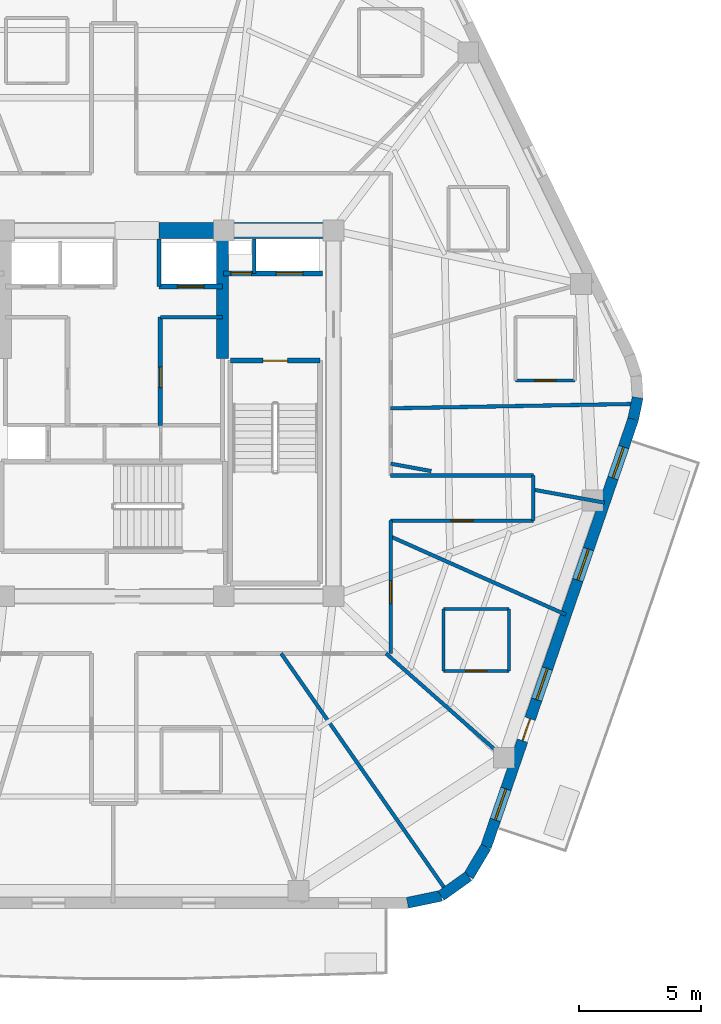
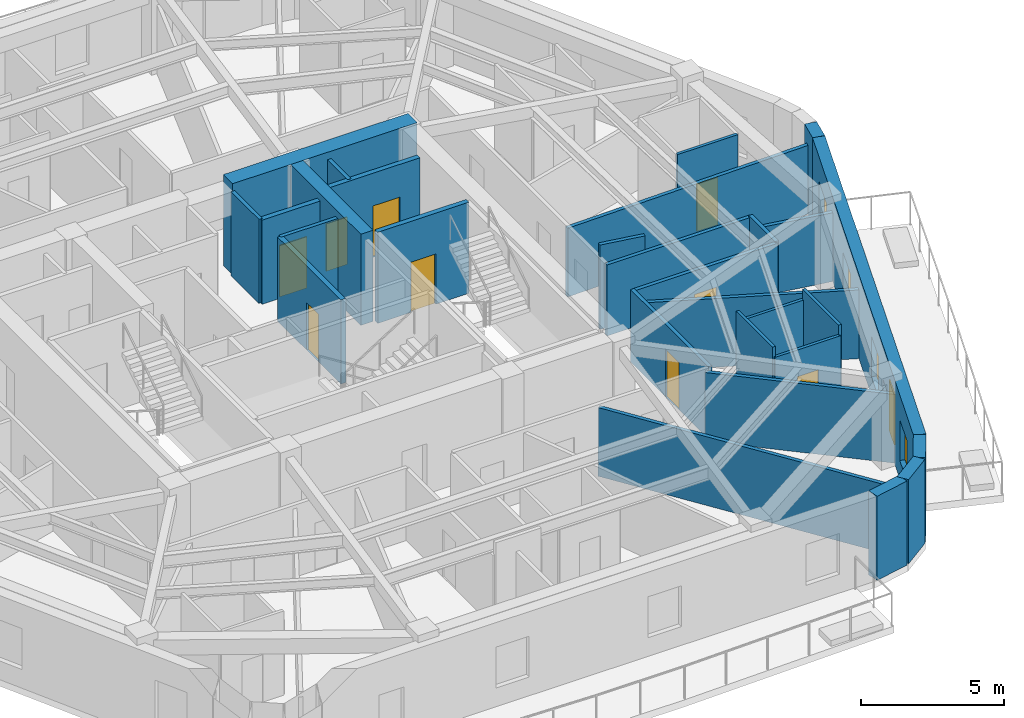
# One storey, part 5 of 9: 29 walls, 10 doors, 4 windows, 14 openings.
"""IFC4 building model written with IfcOpenShell, lengths in metres."""

import ifcopenshell
import ifcopenshell.guid

model = None  # the IFC model being written
_history = None  # IfcOwnerHistory: only IFC2X3 demands one
_inside = {}  # id of a spatial element -> (the spatial element, [elements in it])
_under = {}  # id of a project, library or spatial element -> (it, [spatial elements below it])
_declared = {}  # id of a project -> (the project, [libraries it declares])
_typed = {}  # id of a type object -> (the type object, [elements of that type])
_made_of = {}  # id of a material, layer set ... -> (it, [elements and type objects made of it])


def new_model(schema):
    """Start an empty IFC model of exactly this schema.

    Asked for "IFC4X3", IfcOpenShell would pick the latest addendum, in which some entities
    have other attributes; the version numbers below select the first issue.
    IFC2X3 requires an IfcOwnerHistory on every rooted entity: one is made here for all.
    """
    global model, _history
    if schema == "IFC4X3":
        model = ifcopenshell.file(schema_version=(4, 3, 0, 0))
    else:
        model = ifcopenshell.file(schema=schema)
    _inside.clear()
    _under.clear()
    _declared.clear()
    _typed.clear()
    _made_of.clear()
    _history = None
    if model.schema == "IFC2X3":
        org = make("IfcOrganization", Name="unknown")
        user = make(
            "IfcPersonAndOrganization",
            ThePerson=make("IfcPerson", FamilyName="unknown"),
            TheOrganization=org,
        )
        app = make(
            "IfcApplication",
            ApplicationDeveloper=org,
            Version="unknown",
            ApplicationFullName="unknown",
            ApplicationIdentifier="unknown",
        )
        _history = make(
            "IfcOwnerHistory",
            OwningUser=user,
            OwningApplication=app,
            ChangeAction="ADDED",
            CreationDate=0,
        )
    return model


def make(cls, **values):
    """One entity of the class cls with the attributes given. An attribute that is None is left unset."""
    return model.create_entity(
        cls, **{name: value for name, value in values.items() if value is not None}
    )


def rooted(cls, **values):
    """An entity with a GlobalId (a new one), such as an element, a storey or a relation."""
    return make(cls, GlobalId=ifcopenshell.guid.new(), OwnerHistory=_history, **values)


def si_unit(unit_type, name, prefix=None):
    """IfcSIUnit, for example si_unit("LENGTHUNIT", "METRE", prefix="MILLI")."""
    return make("IfcSIUnit", UnitType=unit_type, Prefix=prefix, Name=name)


def assignment(units):
    """IfcUnitAssignment: the units of a project."""
    return None if units is None else make("IfcUnitAssignment", Units=units)


def point(xyz):
    """IfcCartesianPoint."""
    return None if xyz is None else make("IfcCartesianPoint", Coordinates=xyz)


def direction(xyz):
    """IfcDirection."""
    return None if xyz is None else make("IfcDirection", DirectionRatios=xyz)


def frame(location, z_axis=None, x_axis=None):
    """IfcAxis2Placement3D, a coordinate frame: its origin and axes. An axis left out is left unset."""
    return make(
        "IfcAxis2Placement3D",
        Location=point(location),
        Axis=direction(z_axis),
        RefDirection=direction(x_axis),
    )


def frame_2d(location, x_axis=None):
    """IfcAxis2Placement2D, a coordinate frame in the plane: its origin and x axis."""
    return make(
        "IfcAxis2Placement2D", Location=point(location), RefDirection=direction(x_axis)
    )


def origin():
    """The frame at (0, 0, 0) with its axes left unset."""
    return frame((0.0, 0.0, 0.0))


def place(relative_to, where):
    """IfcLocalPlacement: puts the frame where relative to a parent placement (None: the world)."""
    return make(
        "IfcLocalPlacement", PlacementRelTo=relative_to, RelativePlacement=where
    )


def context(
    kind, dimensions, precision=None, world=None, true_north=None, identifier=None
):
    """IfcGeometricRepresentationContext, for example the 3D "Model" context."""
    return make(
        "IfcGeometricRepresentationContext",
        ContextIdentifier=identifier,
        ContextType=kind,
        CoordinateSpaceDimension=dimensions,
        Precision=precision,
        WorldCoordinateSystem=world,
        TrueNorth=true_north,
    )


def subcontext(parent, identifier, kind, view, scale=None):
    """IfcGeometricRepresentationSubContext, for example "Body" below "Model"."""
    return make(
        "IfcGeometricRepresentationSubContext",
        ContextIdentifier=identifier,
        ContextType=kind,
        ParentContext=parent,
        TargetScale=scale,
        TargetView=view,
    )


def project(units=None, contexts=None):
    """IfcProject with its units and contexts."""
    return rooted(
        "IfcProject",
        Name="project",
        RepresentationContexts=contexts,
        UnitsInContext=assignment(units),
    )


def spatial(cls, under=None, at=None, **own):
    """A site, building, storey or space (cls), placed at a placement, below another one or the project."""
    s = rooted(cls, ObjectPlacement=at, **own)
    if under is not None:
        _under.setdefault(under.id(), (under, []))[1].append(s)
    return s


def profile(cls, at=None, kind="AREA", **sizes):
    """A parametric profile (cls). Its sizes go by their IFC names, for example OverallWidth=200.0."""
    return make(cls, ProfileType=kind, Position=at, **sizes)


def rectangle(**sizes):
    """IfcRectangleProfileDef."""
    return profile("IfcRectangleProfileDef", **sizes)


def extrude(swept, where, along, depth):
    """IfcExtrudedAreaSolid: the profile swept, set in the frame where, extruded along a direction by depth."""
    return make(
        "IfcExtrudedAreaSolid",
        SweptArea=swept,
        Position=where,
        ExtrudedDirection=direction(along),
        Depth=depth,
    )


def shape(context_of_items, identifier, shape_type, items):
    """IfcShapeRepresentation: the items that make up one representation, for example the "Body"."""
    return make(
        "IfcShapeRepresentation",
        ContextOfItems=context_of_items,
        RepresentationIdentifier=identifier,
        RepresentationType=shape_type,
        Items=items,
    )


def material(Name=None, Category=None):
    """IfcMaterial."""
    return make("IfcMaterial", Name=Name, Category=Category)


def layer(
    of_material, thickness, ventilated=None, Name=None, Category=None, Priority=None
):
    """IfcMaterialLayer: one layer of a wall or slab, of a material (None: an air gap)."""
    return make(
        "IfcMaterialLayer",
        Material=of_material,
        LayerThickness=thickness,
        IsVentilated=ventilated,
        Name=Name,
        Category=Category,
        Priority=Priority,
    )


def layer_set(layers, Name=None):
    """IfcMaterialLayerSet."""
    return make("IfcMaterialLayerSet", MaterialLayers=layers, LayerSetName=Name)


def made_of(thing, what):
    """Note that an element or type object is made of a material, layer set ...; save() writes the relation."""
    if what is not None:
        _made_of.setdefault(what.id(), (what, []))[1].append(thing)
    return thing


def type_object(cls, material=None, **own):
    """A type object (cls), such as IfcWallType, which elements share."""
    return made_of(rooted(cls, **own), material)


def element(
    cls,
    number,
    at=None,
    inside=None,
    cuts=None,
    type_object=None,
    material=None,
    context=None,
    identifier="Body",
    shape_type=None,
    held_by="IfcProductDefinitionShape",
    body=None,
    shapes=None,
    **own,
):
    """One element of the class cls, such as IfcWall. Its Tag is "e" and its number.

    at: its placement. inside: the storey or other place that contains it. cuts: it is an
    opening in that element (IfcRelVoidsElement). A single representation is given by context,
    identifier, shape_type and body (its items); several are given by shapes. held_by: the class
    of the entity that holds the representations. save() writes the other relations.
    """
    e = rooted(cls, Tag="e%d" % number, ObjectPlacement=at, **own)
    if body is not None:
        shapes = [shape(context, identifier, shape_type, body)]
    if shapes is not None:
        e.Representation = make(held_by, Representations=shapes)
    if inside is not None:
        _inside.setdefault(inside.id(), (inside, []))[1].append(e)
    if cuts is not None:
        rooted(
            "IfcRelVoidsElement", RelatingBuildingElement=cuts, RelatedOpeningElement=e
        )
    if type_object is not None:
        _typed.setdefault(type_object.id(), (type_object, []))[1].append(e)
    return made_of(e, material)


def fill(opening, filler):
    """IfcRelFillsElement: the door or window that sits in an opening."""
    return rooted(
        "IfcRelFillsElement",
        RelatingOpeningElement=opening,
        RelatedBuildingElement=filler,
    )


def aggregate(whole, parts):
    """IfcRelAggregates: a whole, such as a stair, and the parts it consists of."""
    return rooted("IfcRelAggregates", RelatingObject=whole, RelatedObjects=parts)


def save(model, path):
    """Write the relations noted so far, then the file.

    IfcRelAggregates (storeys below a building ...), IfcRelContainedInSpatialStructure (elements
    in a storey), IfcRelDefinesByType, IfcRelAssociatesMaterial and IfcRelDeclares: one each for
    every whole, place, type object, material and project.
    """
    for whole, parts in _under.values():
        aggregate(whole, parts)
    for where, things in _inside.values():
        rooted(
            "IfcRelContainedInSpatialStructure",
            RelatedElements=things,
            RelatingStructure=where,
        )
    for kind, things in _typed.values():
        rooted("IfcRelDefinesByType", RelatedObjects=things, RelatingType=kind)
    for what, things in _made_of.values():
        rooted("IfcRelAssociatesMaterial", RelatedObjects=things, RelatingMaterial=what)
    for by, libraries in _declared.values():
        rooted("IfcRelDeclares", RelatingContext=by, RelatedDefinitions=libraries)
    model.write(path)


model = new_model("IFC4")

# Units and contexts
model_context = context("Model", 3, precision=1e-05, world=origin(), true_north=direction((0.0, 1.0)))
body_context = subcontext(model_context, "Body", "Model", "MODEL_VIEW")
ifc_project = project(units=[si_unit("LENGTHUNIT", "METRE"), si_unit("AREAUNIT", "SQUARE_METRE"), si_unit("VOLUMEUNIT", "CUBIC_METRE"), si_unit("PLANEANGLEUNIT", "RADIAN"), si_unit("MASSUNIT", "GRAM", prefix="KILO")], contexts=[model_context])

# Site, building, storey
site_placement = place(None, origin())
site = spatial("IfcSite", under=ifc_project, at=site_placement, CompositionType="ELEMENT")
building_placement = place(site_placement, origin())
building = spatial("IfcBuilding", under=site, at=building_placement, Name="Kilnhurst Terrace Hotel", CompositionType="ELEMENT")
storey_placement = place(building_placement, frame((0.0, 0.0, 265.199951171875)))
storey = spatial("IfcBuildingStorey", under=building, at=storey_placement, Name="L66", CompositionType="ELEMENT", Elevation=265.199951171875)

# Walls
ifc_material_1 = material(Name="Precast concrete C40/50", Category="concrete")
ifc_layer_1 = layer(ifc_material_1, 0.449951171875, Name="Precast concrete C40/50")
ifc_layer_set_1 = layer_set([ifc_layer_1], Name="Precast concrete C40/50")
wall_type_1 = type_object("IfcWallType", Name="WL-BRK-450", PredefinedType="SOLIDWALL", material=ifc_layer_set_1)
wall_1_placement = place(storey_placement, frame((12.038330078125, -20.074951171875, 0.0), z_axis=(0.0, 0.0, 1.0), x_axis=(0.978750122553, 0.205056571711, 0.0)))
element("IfcWall", 1, at=wall_1_placement, inside=storey, type_object=wall_type_1, Name="L66 Rounded Corner Brick Wall C2.1", PredefinedType="SOLIDWALL", context=body_context, shape_type="SweptSolid", body=[
    extrude(rectangle(XDim=1.406005859375, YDim=0.449951171875, at=frame_2d((0.703125, 0.0))), origin(), (0.0, 0.0, 1.0), 3.60009765625),
])
wall_2_placement = place(storey_placement, frame((13.41455078125, -19.78662109375, 0.0), z_axis=(0.0, 0.0, 1.0), x_axis=(0.814055493997, 0.580787097561, 0.0)))
element("IfcWall", 2, at=wall_2_placement, inside=storey, type_object=wall_type_1, Name="L66 Rounded Corner Brick Wall C2.2", PredefinedType="SOLIDWALL", context=body_context, shape_type="SweptSolid", body=[
    extrude(rectangle(XDim=1.382568359375, YDim=0.449951171875, at=frame_2d((0.69140625, 0.0))), origin(), (0.0, 0.0, 1.0), 3.60009765625),
])
wall_3_placement = place(storey_placement, frame((14.5400390625, -18.983642578125, 0.0), z_axis=(0.0, 0.0, 1.0), x_axis=(0.512374906623, 0.858761873317, 0.0)))
element("IfcWall", 3, at=wall_3_placement, inside=storey, type_object=wall_type_1, Name="L66 Rounded Corner Brick Wall C2.3", PredefinedType="SOLIDWALL", context=body_context, shape_type="SweptSolid", body=[
    extrude(rectangle(XDim=1.406005859375, YDim=0.449951171875, at=frame_2d((0.703125, 0.0))), origin(), (0.0, 0.0, 1.0), 3.60009765625),
])
wall_4_placement = place(storey_placement, frame((21.297607421875, -0.2333984375, 0.0), z_axis=(0.0, 0.0, 1.0), x_axis=(0.199158176661, 0.979967356941, 0.0)))
element("IfcWall", 4, at=wall_4_placement, inside=storey, type_object=wall_type_1, Name="L66 Rounded Corner Brick Wall C3.1", PredefinedType="SOLIDWALL", context=body_context, shape_type="SweptSolid", body=[
    extrude(rectangle(XDim=0.894775390625, YDim=0.449951171875, at=frame_2d((0.447265625, 0.0))), origin(), (0.0, 0.0, 1.0), 3.60009765625),
])

# Wall, openings, door, windows
wall_5_placement = place(storey_placement, frame((15.260498046875, -17.776123046875, 0.0), z_axis=(0.0, 0.0, 1.0), x_axis=(0.325407437101, 0.945573899745, 0.0)))
wall_5 = element("IfcWall", 5, at=wall_5_placement, inside=storey, type_object=wall_type_1, Name="L66 Exterior Brick Facade Wall F2", PredefinedType="SOLIDWALL", context=body_context, shape_type="SweptSolid", body=[
    extrude(rectangle(XDim=18.552490234375, YDim=0.449951171875, at=frame_2d((9.2763671875, 0.0))), origin(), (0.0, 0.0, 1.0), 3.60009765625),
])
opening_1_placement = place(wall_5_placement, frame((4.60205078125, 0.0, 0.0)))
opening_1 = element("IfcOpeningElement", 6, at=opening_1_placement, cuts=wall_5, Name="Opening BD-950", PredefinedType="OPENING", context=body_context, shape_type="SweptSolid", body=[
    extrude(rectangle(XDim=0.949951171875, YDim=2.14990234375, at=frame_2d((0.47509765625, 1.074951171875))), frame((0.0, 0.23486328125, 0.0), z_axis=(0.0, -1.0, 0.0), x_axis=(1.0, 0.0, 0.0)), (0.0, 0.0, 1.0), 0.469970703125),
])
opening_2_placement = place(wall_5_placement, frame((1.160888671875, 0.0, 0.800048828125)))
opening_2 = element("IfcOpeningElement", 7, at=opening_2_placement, cuts=wall_5, Name="Opening W-06", PredefinedType="OPENING", context=body_context, shape_type="SweptSolid", body=[
    extrude(rectangle(XDim=1.35009765625, YDim=1.75, at=frame_2d((0.675048828125, 0.875))), frame((0.0, 0.23486328125, 0.0), z_axis=(0.0, -1.0, 0.0), x_axis=(1.0, 0.0, 0.0)), (0.0, 0.0, 1.0), 0.469970703125),
])
opening_3_placement = place(wall_5_placement, frame((6.37890625, 0.0, 0.800048828125)))
opening_3 = element("IfcOpeningElement", 8, at=opening_3_placement, cuts=wall_5, Name="Opening W-06", PredefinedType="OPENING", context=body_context, shape_type="SweptSolid", body=[
    extrude(rectangle(XDim=1.35009765625, YDim=1.75, at=frame_2d((0.675048828125, 0.875))), frame((0.0, 0.23486328125, 0.0), z_axis=(0.0, -1.0, 0.0), x_axis=(1.0, 0.0, 0.0)), (0.0, 0.0, 1.0), 0.469970703125),
])
opening_4_placement = place(wall_5_placement, frame((11.56103515625, 0.0, 0.800048828125)))
opening_4 = element("IfcOpeningElement", 9, at=opening_4_placement, cuts=wall_5, Name="Opening W-06", PredefinedType="OPENING", context=body_context, shape_type="SweptSolid", body=[
    extrude(rectangle(XDim=1.35009765625, YDim=1.75, at=frame_2d((0.675048828125, 0.875))), frame((0.0, 0.23486328125, 0.0), z_axis=(0.0, -1.0, 0.0), x_axis=(1.0, 0.0, 0.0)), (0.0, 0.0, 1.0), 0.469970703125),
])
opening_5_placement = place(wall_5_placement, frame((15.987060546875, 0.0, 0.800048828125)))
opening_5 = element("IfcOpeningElement", 10, at=opening_5_placement, cuts=wall_5, Name="Opening W-06", PredefinedType="OPENING", context=body_context, shape_type="SweptSolid", body=[
    extrude(rectangle(XDim=1.35009765625, YDim=1.75, at=frame_2d((0.675048828125, 0.875))), frame((0.0, 0.23486328125, 0.0), z_axis=(0.0, -1.0, 0.0), x_axis=(1.0, 0.0, 0.0)), (0.0, 0.0, 1.0), 0.469970703125),
])
ifc_material_2 = material(Name="Thermally Broken Bronze Aluminium Alloy 6063-T6 and Laminated Glass", Category="aluminium")
door_type_1 = type_object("IfcDoorType", Name="DR-EXT-BAL-950", OperationType="NOTDEFINED", PredefinedType="DOOR", material=ifc_material_2)
door_1_placement = place(opening_1_placement, origin())
door_1 = element("IfcDoor", 11, at=door_1_placement, inside=storey, type_object=door_type_1, Name="L66 Planted Balcony Door BAL-L1B", OperationType="SINGLE_SWING_RIGHT", OverallHeight=2.14990234375, OverallWidth=0.949951171875, PredefinedType="DOOR", context=body_context, shape_type="SweptSolid", body=[
    extrude(rectangle(XDim=0.949951171875, YDim=2.14990234375, at=frame_2d((0.47509765625, 1.074951171875))), frame((0.0, 0.02490234375, 0.0), z_axis=(0.0, -1.0, 0.0), x_axis=(1.0, 0.0, 0.0)), (0.0, 0.0, 1.0), 0.050048828125),
])
fill(opening_1, door_1)
ifc_material_3 = material(Name="Thermally Broken Bronze Aluminium Alloy 6063-T6 and Low-E Glass", Category="aluminium")
window_type = type_object("IfcWindowType", Name="WIN-1350X1750", PartitioningType="SINGLE_PANEL", PredefinedType="WINDOW", material=ifc_material_3)
window_1_placement = place(opening_2_placement, origin())
window_1 = element("IfcWindow", 12, at=window_1_placement, inside=storey, type_object=window_type, Name="L66 Deep-Set Masonry Window F2.1", OverallHeight=1.75, OverallWidth=1.35009765625, PartitioningType="SINGLE_PANEL", PredefinedType="WINDOW", context=body_context, shape_type="SweptSolid", body=[
    extrude(rectangle(XDim=1.35009765625, YDim=1.75, at=frame_2d((0.675048828125, 0.875))), frame((0.0, 0.030029296875, 0.0), z_axis=(0.0, -1.0, 0.0), x_axis=(1.0, 0.0, 0.0)), (0.0, 0.0, 1.0), 0.06005859375),
])
fill(opening_2, window_1)
window_2_placement = place(opening_3_placement, origin())
window_2 = element("IfcWindow", 13, at=window_2_placement, inside=storey, type_object=window_type, Name="L66 Deep-Set Masonry Window F2.2", OverallHeight=1.75, OverallWidth=1.35009765625, PartitioningType="SINGLE_PANEL", PredefinedType="WINDOW", context=body_context, shape_type="SweptSolid", body=[
    extrude(rectangle(XDim=1.35009765625, YDim=1.75, at=frame_2d((0.675048828125, 0.875))), frame((0.0, 0.030029296875, 0.0), z_axis=(0.0, -1.0, 0.0), x_axis=(1.0, 0.0, 0.0)), (0.0, 0.0, 1.0), 0.06005859375),
])
fill(opening_3, window_2)
window_3_placement = place(opening_4_placement, origin())
window_3 = element("IfcWindow", 14, at=window_3_placement, inside=storey, type_object=window_type, Name="L66 Deep-Set Masonry Window F2.3", OverallHeight=1.75, OverallWidth=1.35009765625, PartitioningType="SINGLE_PANEL", PredefinedType="WINDOW", context=body_context, shape_type="SweptSolid", body=[
    extrude(rectangle(XDim=1.35009765625, YDim=1.75, at=frame_2d((0.675048828125, 0.875))), frame((0.0, 0.030029296875, 0.0), z_axis=(0.0, -1.0, 0.0), x_axis=(1.0, 0.0, 0.0)), (0.0, 0.0, 1.0), 0.06005859375),
])
fill(opening_4, window_3)
window_4_placement = place(opening_5_placement, origin())
window_4 = element("IfcWindow", 15, at=window_4_placement, inside=storey, type_object=window_type, Name="L66 Deep-Set Masonry Window F2.4", OverallHeight=1.75, OverallWidth=1.35009765625, PartitioningType="SINGLE_PANEL", PredefinedType="WINDOW", context=body_context, shape_type="SweptSolid", body=[
    extrude(rectangle(XDim=1.35009765625, YDim=1.75, at=frame_2d((0.675048828125, 0.875))), frame((0.0, 0.030029296875, 0.0), z_axis=(0.0, -1.0, 0.0), x_axis=(1.0, 0.0, 0.0)), (0.0, 0.0, 1.0), 0.06005859375),
])
fill(opening_5, window_4)

# Walls
ifc_material_4 = material(Name="Acoustic Double-Gypsum Corridor Partition Assembly")
ifc_layer_2 = layer(ifc_material_4, 0.14990234375, Name="Acoustic Double-Gypsum Corridor Partition Assembly")
ifc_layer_set_2 = layer_set([ifc_layer_2], Name="Acoustic Double-Gypsum Corridor Partition Assembly")
wall_type_2 = type_object("IfcWallType", Name="WL-COR-150", PredefinedType="PARTITIONING", material=ifc_layer_set_2)
wall_6_placement = place(storey_placement, frame((11.35009765625, -2.550048828125, 0.0), z_axis=(0.0, 0.0, 1.0), x_axis=(1.0, 0.0, 0.0)))
element("IfcWall", 16, at=wall_6_placement, inside=storey, type_object=wall_type_2, Name="L66 Interior Wall WL-L66-COR-12", PredefinedType="PARTITIONING", context=body_context, shape_type="SweptSolid", body=[
    extrude(rectangle(XDim=5.849853515625, YDim=0.14990234375, at=frame_2d((2.9248046875, 0.0))), origin(), (0.0, 0.0, 1.0), 3.04052734375),
])
wall_7_placement = place(storey_placement, frame((17.199951171875, -2.550048828125, 0.0), z_axis=(0.0, 0.0, 1.0), x_axis=(0.0, -1.0, 0.0)))
element("IfcWall", 17, at=wall_7_placement, inside=storey, type_object=wall_type_2, Name="L66 Interior Wall WL-L66-COR-13", PredefinedType="PARTITIONING", context=body_context, shape_type="SweptSolid", body=[
    extrude(rectangle(XDim=1.849853515625, YDim=0.14990234375, at=frame_2d((0.9248046875, 0.0))), origin(), (0.0, 0.0, 1.0), 3.090087890625),
])

# Wall, opening, door
wall_8_placement = place(storey_placement, frame((17.199951171875, -4.39990234375, 0.0), z_axis=(0.0, 0.0, 1.0), x_axis=(-1.0, 0.0, 0.0)))
wall_8 = element("IfcWall", 18, at=wall_8_placement, inside=storey, type_object=wall_type_2, Name="L66 Interior Wall WL-L66-COR-14", PredefinedType="PARTITIONING", context=body_context, shape_type="SweptSolid", body=[
    extrude(rectangle(XDim=5.849853515625, YDim=0.14990234375, at=frame_2d((2.9248046875, 0.0))), origin(), (0.0, 0.0, 1.0), 3.04052734375),
])
opening_6_placement = place(wall_8_placement, frame((2.47509765625, 0.0, 0.0)))
opening_6 = element("IfcOpeningElement", 19, at=opening_6_placement, cuts=wall_8, Name="Opening D-60C", PredefinedType="OPENING", context=body_context, shape_type="SweptSolid", body=[
    extrude(rectangle(XDim=0.89990234375, YDim=2.030029296875, at=frame_2d((0.449951171875, 1.01513671875))), frame((0.0, 0.0849609375, 0.0), z_axis=(0.0, -1.0, 0.0), x_axis=(1.0, 0.0, 0.0)), (0.0, 0.0, 1.0), 0.169921875),
])
ifc_material_5 = material(Name="Painted Solid-Core Service Fire Door")
door_type_2 = type_object("IfcDoorType", Name="DR-FD60-900", OperationType="NOTDEFINED", PredefinedType="DOOR", material=ifc_material_5)
door_2_placement = place(opening_6_placement, origin())
door_2 = element("IfcDoor", 20, at=door_2_placement, inside=storey, type_object=door_type_2, Name="L66 Wellness Consultation Room Door 21", OperationType="SINGLE_SWING_LEFT", OverallHeight=2.030029296875, OverallWidth=0.89990234375, PredefinedType="DOOR", context=body_context, shape_type="SweptSolid", body=[
    extrude(rectangle(XDim=0.89990234375, YDim=2.030029296875, at=frame_2d((0.449951171875, 1.01513671875))), frame((0.0, 0.02490234375, 0.0), z_axis=(0.0, -1.0, 0.0), x_axis=(1.0, 0.0, 0.0)), (0.0, 0.0, 1.0), 0.050048828125),
])
fill(opening_6, door_2)

wall_9_placement = place(storey_placement, frame((11.35009765625, -4.39990234375, 0.0), z_axis=(0.0, 0.0, 1.0), x_axis=(0.0, -1.0, 0.0)))
wall_9 = element("IfcWall", 21, at=wall_9_placement, inside=storey, type_object=wall_type_2, Name="L66 Interior Wall WL-L66-COR-15", PredefinedType="PARTITIONING", context=body_context, shape_type="SweptSolid", body=[
    extrude(rectangle(XDim=5.4501953125, YDim=0.14990234375, at=frame_2d((2.72509765625, 0.0))), origin(), (0.0, 0.0, 1.0), 3.090087890625),
])
opening_7_placement = place(wall_9_placement, frame((2.4580078125, 0.0, 0.0)))
opening_7 = element("IfcOpeningElement", 22, at=opening_7_placement, cuts=wall_9, Name="Opening D-60B", PredefinedType="OPENING", context=body_context, shape_type="SweptSolid", body=[
    extrude(rectangle(XDim=0.949951171875, YDim=2.030029296875, at=frame_2d((0.47509765625, 1.01513671875))), frame((0.0, 0.0849609375, 0.0), z_axis=(0.0, -1.0, 0.0), x_axis=(1.0, 0.0, 0.0)), (0.0, 0.0, 1.0), 0.169921875),
])
ifc_material_6 = material(Name="Acoustic Walnut Veneer Solid-Core Fire Door")
door_type_3 = type_object("IfcDoorType", Name="DR-FD60-950", OperationType="NOTDEFINED", PredefinedType="DOOR", material=ifc_material_6)
door_3_placement = place(opening_7_placement, origin())
door_3 = element("IfcDoor", 23, at=door_3_placement, inside=storey, type_object=door_type_3, Name="L66 Guest Room Entry Door 20", OperationType="SINGLE_SWING_RIGHT", OverallHeight=2.030029296875, OverallWidth=0.949951171875, PredefinedType="DOOR", context=body_context, shape_type="SweptSolid", body=[
    extrude(rectangle(XDim=0.949951171875, YDim=2.030029296875, at=frame_2d((0.47509765625, 1.01513671875))), frame((0.0, 0.02490234375, 0.0), z_axis=(0.0, -1.0, 0.0), x_axis=(1.0, 0.0, 0.0)), (0.0, 0.0, 1.0), 0.050048828125),
])
fill(opening_7, door_3)

# Walls
ifc_material_7 = material(Name="Concrete C60/75", Category="concrete")
ifc_layer_3 = layer(ifc_material_7, 0.64990234375, Name="Concrete C60/75")
ifc_layer_set_3 = layer_set([ifc_layer_3], Name="Concrete C60/75")
wall_type_3 = type_object("IfcWallType", Name="WL-CORE-650", PredefinedType="SHEAR", material=ifc_layer_set_3)
wall_10_placement = place(storey_placement, frame((1.85009765625, 7.5, 0.0), z_axis=(0.0, 0.0, 1.0), x_axis=(1.0, 0.0, 0.0)))
element("IfcWall", 24, at=wall_10_placement, inside=storey, type_object=wall_type_3, Name="L66 Core North East Shear Wall", PredefinedType="SHEAR", context=body_context, shape_type="SweptSolid", body=[
    extrude(rectangle(XDim=7.474853515625, YDim=0.64990234375, at=frame_2d((3.7373046875, 0.0))), origin(), (0.0, 0.0, 1.0), 3.900146484375),
])
ifc_layer_4 = layer(ifc_material_7, 0.5, Name="Concrete C60/75")
ifc_layer_set_4 = layer_set([ifc_layer_4], Name="Concrete C60/75")
wall_type_4 = type_object("IfcWallType", Name="WL-CORE-WEB-500", PredefinedType="SHEAR", material=ifc_layer_set_4)
wall_11_placement = place(storey_placement, frame((4.449951171875, 2.25, 0.0), z_axis=(0.0, 0.0, 1.0), x_axis=(0.0, 1.0, 0.0)))
element("IfcWall", 25, at=wall_11_placement, inside=storey, type_object=wall_type_4, Name="L66 Core Internal East Shear Web", PredefinedType="SHEAR", context=body_context, shape_type="SweptSolid", body=[
    extrude(rectangle(XDim=4.925048828125, YDim=0.5, at=frame_2d((2.46240234375, 0.0))), origin(), (0.0, 0.0, 1.0), 3.900146484375),
])
ifc_material_8 = material(Name="STC-58 Acoustic Twin-Frame Guestroom Demising Partition")
ifc_layer_5 = layer(ifc_material_8, 0.14990234375, Name="STC-58 Acoustic Twin-Frame Guestroom Demising Partition")
ifc_layer_set_5 = layer_set([ifc_layer_5], Name="STC-58 Acoustic Twin-Frame Guestroom Demising Partition")
wall_type_5 = type_object("IfcWallType", Name="WL-DEM-150", PredefinedType="PARTITIONING", material=ifc_layer_set_5)
wall_12_placement = place(storey_placement, frame((11.35009765625, 0.2041015625, 0.0), z_axis=(0.0, 0.0, 1.0), x_axis=(0.999838748671, 0.017957635019, 0.0)))
element("IfcWall", 26, at=wall_12_placement, inside=storey, type_object=wall_type_5, Name="L66 Interior Wall WL-L66-DEM-MID12-01-1", PredefinedType="PARTITIONING", context=body_context, shape_type="SweptSolid", body=[
    extrude(rectangle(XDim=9.9111328125, YDim=0.14990234375, at=frame_2d((4.95556640625, 0.0))), origin(), (0.0, 0.0, 1.0), 2.93994140625),
])
wall_13_placement = place(storey_placement, frame((6.858154296875, -9.85009765625, 0.0), z_axis=(0.0, 0.0, 1.0), x_axis=(0.571391702066, -0.820677477948, 0.0)))
element("IfcWall", 27, at=wall_13_placement, inside=storey, type_object=wall_type_5, Name="L66 Interior Wall WL-L66-DEM-MID10-19-1", PredefinedType="PARTITIONING", context=body_context, shape_type="SweptSolid", body=[
    extrude(rectangle(XDim=11.737548828125, YDim=0.14990234375, at=frame_2d((5.86865234375, 0.0))), origin(), (0.0, 0.0, 1.0), 2.93994140625),
])
wall_14_placement = place(storey_placement, frame((11.1572265625, -9.85009765625, 0.0), z_axis=(0.0, 0.0, 1.0), x_axis=(0.74966962095, -0.661812253909, 0.0)))
element("IfcWall", 28, at=wall_14_placement, inside=storey, type_object=wall_type_5, Name="L66 Interior Wall WL-L66-DEM-COL11-20-1", PredefinedType="PARTITIONING", context=body_context, shape_type="SweptSolid", body=[
    extrude(rectangle(XDim=6.98876953125, YDim=0.14990234375, at=frame_2d((3.494384765625, 0.0))), origin(), (0.0, 0.0, 1.0), 2.93994140625),
])
wall_15_placement = place(storey_placement, frame((11.35009765625, -5.056640625, 0.0), z_axis=(0.0, 0.0, 1.0), x_axis=(0.91344644156, -0.406958964026, 0.0)))
element("IfcWall", 29, at=wall_15_placement, inside=storey, type_object=wall_type_5, Name="L66 Interior Wall WL-L66-DEM-MID11-21-1", PredefinedType="PARTITIONING", context=body_context, shape_type="SweptSolid", body=[
    extrude(rectangle(XDim=7.86669921875, YDim=0.14990234375, at=frame_2d((3.933349609375, 0.0))), origin(), (0.0, 0.0, 1.0), 2.93994140625),
])
wall_16_placement = place(storey_placement, frame((11.35009765625, -2.067138671875, 0.0), z_axis=(0.0, 0.0, 1.0), x_axis=(0.983807459651, -0.179228575665, 0.0)))
element("IfcWall", 30, at=wall_16_placement, inside=storey, type_object=wall_type_5, Name="L66 Interior Wall WL-L66-DEM-COL12-22-1", PredefinedType="PARTITIONING", context=body_context, shape_type="SweptSolid", body=[
    extrude(rectangle(XDim=1.6904296875, YDim=0.14990234375, at=frame_2d((0.84521484375, 0.0))), origin(), (0.0, 0.0, 1.0), 3.60009765625),
])
wall_17_placement = place(storey_placement, frame((17.199951171875, -3.132568359375, 0.0), z_axis=(0.0, 0.0, 1.0), x_axis=(0.983817168797, -0.179175272791, 0.0)))
element("IfcWall", 31, at=wall_17_placement, inside=storey, type_object=wall_type_5, Name="L66 Interior Wall WL-L66-DEM-COL12-22-2", PredefinedType="PARTITIONING", context=body_context, shape_type="SweptSolid", body=[
    extrude(rectangle(XDim=2.965087890625, YDim=0.14990234375, at=frame_2d((1.482421875, 0.0))), origin(), (0.0, 0.0, 1.0), 2.93994140625),
])

# Wall, opening, door
ifc_material_9 = material(Name="120 mm Moisture-Resistant Tile-Backed Bathroom Partition")
ifc_layer_6 = layer(ifc_material_9, 0.1201171875, Name="120 mm Moisture-Resistant Tile-Backed Bathroom Partition")
ifc_layer_set_6 = layer_set([ifc_layer_6], Name="120 mm Moisture-Resistant Tile-Backed Bathroom Partition")
wall_type_6 = type_object("IfcWallType", Name="WL-PART-120", PredefinedType="PARTITIONING", material=ifc_layer_set_6)
wall_18_placement = place(storey_placement, frame((16.470947265625, 1.34912109375, 0.0), z_axis=(0.0, 0.0, 1.0), x_axis=(1.0, 0.0, 0.0)))
wall_18 = element("IfcWall", 32, at=wall_18_placement, inside=storey, type_object=wall_type_6, Name="L66 Interior Wall WL-L66-BTH-01-1", PredefinedType="PARTITIONING", context=body_context, shape_type="SweptSolid", body=[
    extrude(rectangle(XDim=2.43994140625, YDim=0.1201171875, at=frame_2d((1.219970703125, 0.0))), origin(), (0.0, 0.0, 1.0), 3.60009765625),
])
opening_8_placement = place(wall_18_placement, frame((0.794921875, 0.0, 0.0)))
opening_8 = element("IfcOpeningElement", 33, at=opening_8_placement, cuts=wall_18, Name="Opening D-08A", PredefinedType="OPENING", context=body_context, shape_type="SweptSolid", body=[
    extrude(rectangle(XDim=0.85009765625, YDim=2.030029296875, at=frame_2d((0.425048828125, 1.01513671875))), frame((0.0, 0.070068359375, 0.0), z_axis=(0.0, -1.0, 0.0), x_axis=(1.0, 0.0, 0.0)), (0.0, 0.0, 1.0), 0.14013671875),
])
ifc_material_10 = material(Name="Moisture-Resistant Lacquered En-suite Bathroom Door")
door_type_4 = type_object("IfcDoorType", Name="DR-INT-850", OperationType="NOTDEFINED", PredefinedType="DOOR", material=ifc_material_10)
door_4_placement = place(opening_8_placement, origin())
door_4 = element("IfcDoor", 34, at=door_4_placement, inside=storey, type_object=door_type_4, Name="L66 En-suite Bathroom Door 1", OperationType="SINGLE_SWING_RIGHT", OverallHeight=2.030029296875, OverallWidth=0.85009765625, PredefinedType="DOOR", context=body_context, shape_type="SweptSolid", body=[
    extrude(rectangle(XDim=0.85009765625, YDim=2.030029296875, at=frame_2d((0.425048828125, 1.01513671875))), frame((0.0, 0.02490234375, 0.0), z_axis=(0.0, -1.0, 0.0), x_axis=(1.0, 0.0, 0.0)), (0.0, 0.0, 1.0), 0.050048828125),
])
fill(opening_8, door_4)

wall_19_placement = place(storey_placement, frame((13.51904296875, -10.56689453125, 0.0), z_axis=(0.0, 0.0, 1.0), x_axis=(1.0, 0.0, 0.0)))
wall_19 = element("IfcWall", 35, at=wall_19_placement, inside=storey, type_object=wall_type_6, Name="L66 Interior Wall WL-L66-BTH-20-1", PredefinedType="PARTITIONING", context=body_context, shape_type="SweptSolid", body=[
    extrude(rectangle(XDim=2.679931640625, YDim=0.1201171875, at=frame_2d((1.33984375, 0.0))), origin(), (0.0, 0.0, 1.0), 3.17236328125),
])
opening_9_placement = place(wall_19_placement, frame((0.9150390625, 0.0, 0.0)))
opening_9 = element("IfcOpeningElement", 36, at=opening_9_placement, cuts=wall_19, Name="Opening D-08A", PredefinedType="OPENING", context=body_context, shape_type="SweptSolid", body=[
    extrude(rectangle(XDim=0.85009765625, YDim=2.030029296875, at=frame_2d((0.425048828125, 1.01513671875))), frame((0.0, 0.070068359375, 0.0), z_axis=(0.0, -1.0, 0.0), x_axis=(1.0, 0.0, 0.0)), (0.0, 0.0, 1.0), 0.14013671875),
])
door_5_placement = place(opening_9_placement, origin())
door_5 = element("IfcDoor", 37, at=door_5_placement, inside=storey, type_object=door_type_4, Name="L66 En-suite Bathroom Door 20", OperationType="SINGLE_SWING_LEFT", OverallHeight=2.030029296875, OverallWidth=0.85009765625, PredefinedType="DOOR", context=body_context, shape_type="SweptSolid", body=[
    extrude(rectangle(XDim=0.85009765625, YDim=2.030029296875, at=frame_2d((0.425048828125, 1.01513671875))), frame((0.0, 0.02490234375, 0.0), z_axis=(0.0, -1.0, 0.0), x_axis=(1.0, 0.0, 0.0)), (0.0, 0.0, 1.0), 0.050048828125),
])
fill(opening_9, door_5)

# Walls
wall_20_placement = place(storey_placement, frame((16.198974609375, -10.56689453125, 0.0), z_axis=(0.0, 0.0, 1.0), x_axis=(0.0, 1.0, 0.0)))
element("IfcWall", 38, at=wall_20_placement, inside=storey, type_object=wall_type_6, Name="L66 Interior Wall WL-L66-BTH-20-2", PredefinedType="PARTITIONING", context=body_context, shape_type="SweptSolid", body=[
    extrude(rectangle(XDim=2.539794921875, YDim=0.1201171875, at=frame_2d((1.27001953125, 0.0))), origin(), (0.0, 0.0, 1.0), 3.60009765625),
])
wall_21_placement = place(storey_placement, frame((16.198974609375, -8.027099609375, 0.0), z_axis=(0.0, 0.0, 1.0), x_axis=(-1.0, 0.0, 0.0)))
element("IfcWall", 39, at=wall_21_placement, inside=storey, type_object=wall_type_6, Name="L66 Interior Wall WL-L66-BTH-20-3", PredefinedType="PARTITIONING", context=body_context, shape_type="SweptSolid", body=[
    extrude(rectangle(XDim=2.679931640625, YDim=0.1201171875, at=frame_2d((1.33984375, 0.0))), origin(), (0.0, 0.0, 1.0), 3.17236328125),
])
wall_22_placement = place(storey_placement, frame((13.51904296875, -8.027099609375, 0.0), z_axis=(0.0, 0.0, 1.0), x_axis=(0.0, -1.0, 0.0)))
element("IfcWall", 40, at=wall_22_placement, inside=storey, type_object=wall_type_6, Name="L66 Interior Wall WL-L66-BTH-20-4", PredefinedType="PARTITIONING", context=body_context, shape_type="SweptSolid", body=[
    extrude(rectangle(XDim=2.539794921875, YDim=0.1201171875, at=frame_2d((1.27001953125, 0.0))), origin(), (0.0, 0.0, 1.0), 3.60009765625),
])
ifc_material_11 = material(Name="Fire-Rated Gypsum Shaftliner Assembly")
ifc_layer_7 = layer(ifc_material_11, 0.14990234375, Name="Fire-Rated Gypsum Shaftliner Assembly")
ifc_layer_set_7 = layer_set([ifc_layer_7], Name="Fire-Rated Gypsum Shaftliner Assembly")
wall_type_7 = type_object("IfcWallType", Name="WL-SHAFT-150", PredefinedType="PARTITIONING", material=ifc_layer_set_7)
wall_23_placement = place(storey_placement, frame((5.75, 5.739990234375, 0.0), z_axis=(0.0, 0.0, 1.0), x_axis=(0.0, 1.0, 0.0)))
element("IfcWall", 41, at=wall_23_placement, inside=storey, type_object=wall_type_7, Name="L66 Interior Wall WL-L66-RIS2-DIV", PredefinedType="PARTITIONING", context=body_context, shape_type="SweptSolid", body=[
    extrude(rectangle(XDim=1.409912109375, YDim=0.14990234375, at=frame_2d((0.705078125, 0.0))), origin(), (0.0, 0.0, 1.0), 3.60009765625),
])
wall_24_placement = place(storey_placement, frame((1.85009765625, 5.199951171875, 0.0), z_axis=(0.0, 0.0, 1.0), x_axis=(0.0, 1.0, 0.0)))
element("IfcWall", 42, at=wall_24_placement, inside=storey, type_object=wall_type_7, Name="L66 Interior Wall WL-L66-HR-PORTAL-E", PredefinedType="PARTITIONING", context=body_context, shape_type="SweptSolid", body=[
    extrude(rectangle(XDim=1.949951171875, YDim=0.14990234375, at=frame_2d((0.97509765625, 0.0))), origin(), (0.0, 0.0, 1.0), 3.60009765625),
])
wall_25_placement = place(storey_placement, frame((1.89990234375, 3.93994140625, 0.0), z_axis=(0.0, 0.0, 1.0), x_axis=(1.0, 0.0, 0.0)))
element("IfcWall", 43, at=wall_25_placement, inside=storey, type_object=wall_type_7, Name="L66 Interior Wall WL-L66-MR-NORTH", PredefinedType="PARTITIONING", context=body_context, shape_type="SweptSolid", body=[
    extrude(rectangle(XDim=2.550048828125, YDim=0.14990234375, at=frame_2d((1.27490234375, 0.0))), origin(), (0.0, 0.0, 1.0), 3.60009765625),
])

# Wall, openings, doors
ifc_material_12 = material(Name="Autoclaved Aerated Concrete C30/37 and Gypsum Shaft Assembly", Category="concrete")
ifc_layer_8 = layer(ifc_material_12, 0.199951171875, Name="Autoclaved Aerated Concrete C30/37 and Gypsum Shaft Assembly")
ifc_layer_set_8 = layer_set([ifc_layer_8], Name="Autoclaved Aerated Concrete C30/37 and Gypsum Shaft Assembly")
wall_type_8 = type_object("IfcWallType", Name="WL-SHAFT-200", PredefinedType="PARTITIONING", material=ifc_layer_set_8)
wall_26_placement = place(storey_placement, frame((4.5, 5.739990234375, 0.0), z_axis=(0.0, 0.0, 1.0), x_axis=(1.0, 0.0, 0.0)))
wall_26 = element("IfcWall", 44, at=wall_26_placement, inside=storey, type_object=wall_type_8, Name="L66 Interior Wall WL-L66-FSAE2-S", PredefinedType="PARTITIONING", context=body_context, shape_type="SweptSolid", body=[
    extrude(rectangle(XDim=4.050048828125, YDim=0.199951171875, at=frame_2d((2.02490234375, 0.0))), origin(), (0.0, 0.0, 1.0), 3.60009765625),
])
opening_10_placement = place(wall_26_placement, frame((0.300048828125, 0.0, 0.0)))
opening_10 = element("IfcOpeningElement", 45, at=opening_10_placement, cuts=wall_26, Name="Opening D-60D", PredefinedType="OPENING", context=body_context, shape_type="SweptSolid", body=[
    extrude(rectangle(XDim=0.85009765625, YDim=2.030029296875, at=frame_2d((0.425048828125, 1.01513671875))), frame((0.0, 0.10986328125, 0.0), z_axis=(0.0, -1.0, 0.0), x_axis=(1.0, 0.0, 0.0)), (0.0, 0.0, 1.0), 0.219970703125),
])
opening_11_placement = place(wall_26_placement, frame((2.14990234375, 0.0, 0.0)))
opening_11 = element("IfcOpeningElement", 46, at=opening_11_placement, cuts=wall_26, Name="Opening LD-F2", PredefinedType="OPENING", context=body_context, shape_type="SweptSolid", body=[
    extrude(rectangle(XDim=1.10009765625, YDim=2.199951171875, at=frame_2d((0.550048828125, 1.10009765625))), frame((0.0, 0.10986328125, 0.0), z_axis=(0.0, -1.0, 0.0), x_axis=(1.0, 0.0, 0.0)), (0.0, 0.0, 1.0), 0.219970703125),
])
ifc_material_13 = material(Name="Painted Hollow Metal Steel ASTM A36 Riser Door", Category="steel")
door_type_5 = type_object("IfcDoorType", Name="DR-FD60-850", OperationType="NOTDEFINED", PredefinedType="DOOR", material=ifc_material_13)
door_6_placement = place(opening_10_placement, origin())
door_6 = element("IfcDoor", 47, at=door_6_placement, inside=storey, type_object=door_type_5, Name="L66 Telecom Riser Door", OperationType="SINGLE_SWING_RIGHT", OverallHeight=2.030029296875, OverallWidth=0.85009765625, PredefinedType="DOOR", context=body_context, shape_type="SweptSolid", body=[
    extrude(rectangle(XDim=0.85009765625, YDim=2.030029296875, at=frame_2d((0.425048828125, 1.01513671875))), frame((0.0, 0.02490234375, 0.0), z_axis=(0.0, -1.0, 0.0), x_axis=(1.0, 0.0, 0.0)), (0.0, 0.0, 1.0), 0.050048828125),
])
fill(opening_10, door_6)
ifc_material_14 = material(Name="Bronze-Anodized Stainless Steel AISI 316L Sliding Door", Category="steel")
door_type_6 = type_object("IfcDoorType", Name="DR-LIFT-1100", OperationType="NOTDEFINED", PredefinedType="DOOR", material=ifc_material_14)
door_7_placement = place(opening_11_placement, origin())
door_7 = element("IfcDoor", 48, at=door_7_placement, inside=storey, type_object=door_type_6, Name="L66 FSAE-2 Landing Door", OperationType="SLIDING_TO_RIGHT", OverallHeight=2.199951171875, OverallWidth=1.10009765625, PredefinedType="DOOR", context=body_context, shape_type="SweptSolid", body=[
    extrude(rectangle(XDim=1.10009765625, YDim=2.199951171875, at=frame_2d((0.550048828125, 1.10009765625))), frame((0.0, 0.02490234375, 0.0), z_axis=(0.0, -1.0, 0.0), x_axis=(1.0, 0.0, 0.0)), (0.0, 0.0, 1.0), 0.050048828125),
])
fill(opening_11, door_7)

# Wall, opening, door
wall_27_placement = place(storey_placement, frame((1.85009765625, 5.199951171875, 0.0), z_axis=(0.0, 0.0, 1.0), x_axis=(1.0, 0.0, 0.0)))
wall_27 = element("IfcWall", 49, at=wall_27_placement, inside=storey, type_object=wall_type_8, Name="L66 Interior Wall WL-L66-HR-SE", PredefinedType="PARTITIONING", context=body_context, shape_type="SweptSolid", body=[
    extrude(rectangle(XDim=2.599853515625, YDim=0.199951171875, at=frame_2d((1.2998046875, 0.0))), origin(), (0.0, 0.0, 1.0), 3.60009765625),
])
opening_12_placement = place(wall_27_placement, frame((0.75, 0.0, 0.0)))
opening_12 = element("IfcOpeningElement", 50, at=opening_12_placement, cuts=wall_27, Name="Opening LD-H2", PredefinedType="OPENING", context=body_context, shape_type="SweptSolid", body=[
    extrude(rectangle(XDim=1.10009765625, YDim=2.199951171875, at=frame_2d((0.550048828125, 1.10009765625))), frame((0.0, 0.10986328125, 0.0), z_axis=(0.0, -1.0, 0.0), x_axis=(1.0, 0.0, 0.0)), (0.0, 0.0, 1.0), 0.219970703125),
])
door_8_placement = place(opening_12_placement, origin())
door_8 = element("IfcDoor", 51, at=door_8_placement, inside=storey, type_object=door_type_6, Name="L66 High Rise Lift HR-2 Landing Door", OperationType="SLIDING_TO_RIGHT", OverallHeight=2.199951171875, OverallWidth=1.10009765625, PredefinedType="DOOR", context=body_context, shape_type="SweptSolid", body=[
    extrude(rectangle(XDim=1.10009765625, YDim=2.199951171875, at=frame_2d((0.550048828125, 1.10009765625))), frame((0.0, 0.02490234375, 0.0), z_axis=(0.0, -1.0, 0.0), x_axis=(1.0, 0.0, 0.0)), (0.0, 0.0, 1.0), 0.050048828125),
])
fill(opening_12, door_8)

wall_28_placement = place(storey_placement, frame((1.89990234375, -0.5, 0.0), z_axis=(0.0, 0.0, 1.0), x_axis=(0.0, 1.0, 0.0)))
wall_28 = element("IfcWall", 52, at=wall_28_placement, inside=storey, type_object=wall_type_8, Name="L66 Interior Wall WL-L66-MR-FRONT", PredefinedType="PARTITIONING", context=body_context, shape_type="SweptSolid", body=[
    extrude(rectangle(XDim=4.43994140625, YDim=0.199951171875, at=frame_2d((2.219970703125, 0.0))), origin(), (0.0, 0.0, 1.0), 3.60009765625),
])
opening_13_placement = place(wall_28_placement, frame((1.550048828125, 0.0, 0.0)))
opening_13 = element("IfcOpeningElement", 53, at=opening_13_placement, cuts=wall_28, Name="Opening D-60D", PredefinedType="OPENING", context=body_context, shape_type="SweptSolid", body=[
    extrude(rectangle(XDim=0.85009765625, YDim=2.030029296875, at=frame_2d((0.425048828125, 1.01513671875))), frame((0.0, 0.10986328125, 0.0), z_axis=(0.0, -1.0, 0.0), x_axis=(1.0, 0.0, 0.0)), (0.0, 0.0, 1.0), 0.219970703125),
])
door_9_placement = place(opening_13_placement, origin())
door_9 = element("IfcDoor", 54, at=door_9_placement, inside=storey, type_object=door_type_5, Name="L66 Staff Accessible Restroom Door", OperationType="SINGLE_SWING_RIGHT", OverallHeight=2.030029296875, OverallWidth=0.85009765625, PredefinedType="DOOR", context=body_context, shape_type="SweptSolid", body=[
    extrude(rectangle(XDim=0.85009765625, YDim=2.030029296875, at=frame_2d((0.425048828125, 1.01513671875))), frame((0.0, 0.02490234375, 0.0), z_axis=(0.0, -1.0, 0.0), x_axis=(1.0, 0.0, 0.0)), (0.0, 0.0, 1.0), 0.050048828125),
])
fill(opening_13, door_9)

ifc_material_15 = material(Name="Concrete C50/60", Category="concrete")
ifc_layer_9 = layer(ifc_material_15, 0.199951171875, Name="Concrete C50/60")
ifc_layer_set_9 = layer_set([ifc_layer_9], Name="Concrete C50/60")
wall_type_9 = type_object("IfcWallType", Name="WL-STAIR-RC-200", PredefinedType="SHEAR", material=ifc_layer_set_9)
wall_29_placement = place(storey_placement, frame((4.77197265625, 2.157958984375, 0.0), z_axis=(0.0, 0.0, 1.0), x_axis=(1.0, 0.0, 0.0)))
wall_29 = element("IfcWall", 55, at=wall_29_placement, inside=storey, type_object=wall_type_9, Name="L66 Structural Stair Shaft Wall WL-L66-ST2-N", PredefinedType="SHEAR", context=body_context, shape_type="SweptSolid", body=[
    extrude(rectangle(XDim=3.68603515625, YDim=0.199951171875, at=frame_2d((1.843017578125, 0.0))), origin(), (0.0, 0.0, 1.0), 3.900146484375),
])
opening_14_placement = place(wall_29_placement, frame((1.35009765625, 0.0, 0.0)))
opening_14 = element("IfcOpeningElement", 56, at=opening_14_placement, cuts=wall_29, Name="Opening D-90B", PredefinedType="OPENING", context=body_context, shape_type="SweptSolid", body=[
    extrude(rectangle(XDim=1.0, YDim=2.14990234375, at=frame_2d((0.5, 1.074951171875))), frame((0.0, 0.10986328125, 0.0), z_axis=(0.0, -1.0, 0.0), x_axis=(1.0, 0.0, 0.0)), (0.0, 0.0, 1.0), 0.219970703125),
])
ifc_material_16 = material(Name="Painted Hollow Metal Steel ASTM A36 Fire Door", Category="steel")
door_type_7 = type_object("IfcDoorType", Name="DR-FD90-1000", OperationType="NOTDEFINED", PredefinedType="DOOR", material=ifc_material_16)
door_10_placement = place(opening_14_placement, origin())
door_10 = element("IfcDoor", 57, at=door_10_placement, inside=storey, type_object=door_type_7, Name="L66 Stair ST-2 Door", OperationType="SINGLE_SWING_RIGHT", OverallHeight=2.14990234375, OverallWidth=1.0, PredefinedType="DOOR", context=body_context, shape_type="SweptSolid", body=[
    extrude(rectangle(XDim=1.0, YDim=2.14990234375, at=frame_2d((0.5, 1.074951171875))), frame((0.0, 0.02490234375, 0.0), z_axis=(0.0, -1.0, 0.0), x_axis=(1.0, 0.0, 0.0)), (0.0, 0.0, 1.0), 0.050048828125),
])
fill(opening_14, door_10)

save(model, "model.ifc")
